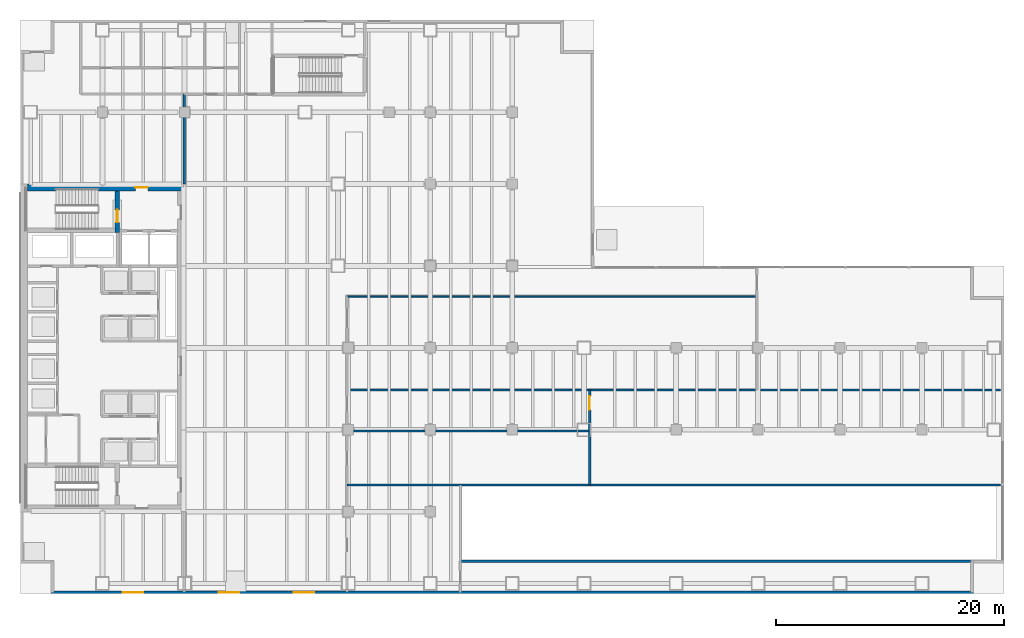
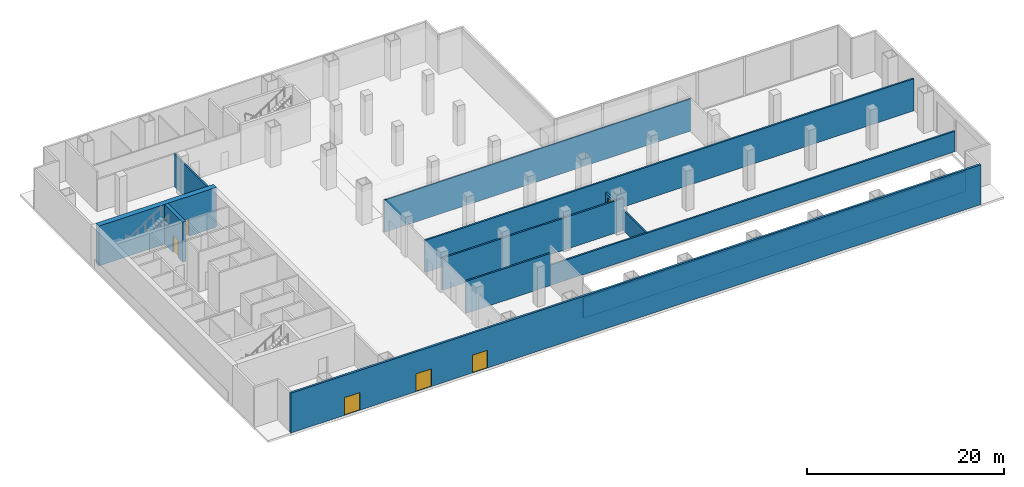
# One storey, part 11 of 17: 11 walls, 6 doors, 6 openings.
"""IFC4 building model written with IfcOpenShell, lengths in metres."""

import ifcopenshell
import ifcopenshell.guid

model = None  # the IFC model being written
_history = None  # IfcOwnerHistory: only IFC2X3 demands one
_inside = {}  # id of a spatial element -> (the spatial element, [elements in it])
_under = {}  # id of a project, library or spatial element -> (it, [spatial elements below it])
_declared = {}  # id of a project -> (the project, [libraries it declares])
_typed = {}  # id of a type object -> (the type object, [elements of that type])
_made_of = {}  # id of a material, layer set ... -> (it, [elements and type objects made of it])


def new_model(schema):
    """Start an empty IFC model of exactly this schema.

    Asked for "IFC4X3", IfcOpenShell would pick the latest addendum, in which some entities
    have other attributes; the version numbers below select the first issue.
    IFC2X3 requires an IfcOwnerHistory on every rooted entity: one is made here for all.
    """
    global model, _history
    if schema == "IFC4X3":
        model = ifcopenshell.file(schema_version=(4, 3, 0, 0))
    else:
        model = ifcopenshell.file(schema=schema)
    _inside.clear()
    _under.clear()
    _declared.clear()
    _typed.clear()
    _made_of.clear()
    _history = None
    if model.schema == "IFC2X3":
        org = make("IfcOrganization", Name="unknown")
        user = make(
            "IfcPersonAndOrganization",
            ThePerson=make("IfcPerson", FamilyName="unknown"),
            TheOrganization=org,
        )
        app = make(
            "IfcApplication",
            ApplicationDeveloper=org,
            Version="unknown",
            ApplicationFullName="unknown",
            ApplicationIdentifier="unknown",
        )
        _history = make(
            "IfcOwnerHistory",
            OwningUser=user,
            OwningApplication=app,
            ChangeAction="ADDED",
            CreationDate=0,
        )
    return model


def make(cls, **values):
    """One entity of the class cls with the attributes given. An attribute that is None is left unset."""
    return model.create_entity(
        cls, **{name: value for name, value in values.items() if value is not None}
    )


def rooted(cls, **values):
    """An entity with a GlobalId (a new one), such as an element, a storey or a relation."""
    return make(cls, GlobalId=ifcopenshell.guid.new(), OwnerHistory=_history, **values)


def si_unit(unit_type, name, prefix=None):
    """IfcSIUnit, for example si_unit("LENGTHUNIT", "METRE", prefix="MILLI")."""
    return make("IfcSIUnit", UnitType=unit_type, Prefix=prefix, Name=name)


def assignment(units):
    """IfcUnitAssignment: the units of a project."""
    return None if units is None else make("IfcUnitAssignment", Units=units)


def point(xyz):
    """IfcCartesianPoint."""
    return None if xyz is None else make("IfcCartesianPoint", Coordinates=xyz)


def direction(xyz):
    """IfcDirection."""
    return None if xyz is None else make("IfcDirection", DirectionRatios=xyz)


def frame(location, z_axis=None, x_axis=None):
    """IfcAxis2Placement3D, a coordinate frame: its origin and axes. An axis left out is left unset."""
    return make(
        "IfcAxis2Placement3D",
        Location=point(location),
        Axis=direction(z_axis),
        RefDirection=direction(x_axis),
    )


def frame_2d(location, x_axis=None):
    """IfcAxis2Placement2D, a coordinate frame in the plane: its origin and x axis."""
    return make(
        "IfcAxis2Placement2D", Location=point(location), RefDirection=direction(x_axis)
    )


def origin():
    """The frame at (0, 0, 0) with its axes left unset."""
    return frame((0.0, 0.0, 0.0))


def place(relative_to, where):
    """IfcLocalPlacement: puts the frame where relative to a parent placement (None: the world)."""
    return make(
        "IfcLocalPlacement", PlacementRelTo=relative_to, RelativePlacement=where
    )


def context(
    kind, dimensions, precision=None, world=None, true_north=None, identifier=None
):
    """IfcGeometricRepresentationContext, for example the 3D "Model" context."""
    return make(
        "IfcGeometricRepresentationContext",
        ContextIdentifier=identifier,
        ContextType=kind,
        CoordinateSpaceDimension=dimensions,
        Precision=precision,
        WorldCoordinateSystem=world,
        TrueNorth=true_north,
    )


def subcontext(parent, identifier, kind, view, scale=None):
    """IfcGeometricRepresentationSubContext, for example "Body" below "Model"."""
    return make(
        "IfcGeometricRepresentationSubContext",
        ContextIdentifier=identifier,
        ContextType=kind,
        ParentContext=parent,
        TargetScale=scale,
        TargetView=view,
    )


def project(units=None, contexts=None):
    """IfcProject with its units and contexts."""
    return rooted(
        "IfcProject",
        Name="project",
        RepresentationContexts=contexts,
        UnitsInContext=assignment(units),
    )


def spatial(cls, under=None, at=None, **own):
    """A site, building, storey or space (cls), placed at a placement, below another one or the project."""
    s = rooted(cls, ObjectPlacement=at, **own)
    if under is not None:
        _under.setdefault(under.id(), (under, []))[1].append(s)
    return s


def profile(cls, at=None, kind="AREA", **sizes):
    """A parametric profile (cls). Its sizes go by their IFC names, for example OverallWidth=200.0."""
    return make(cls, ProfileType=kind, Position=at, **sizes)


def rectangle(**sizes):
    """IfcRectangleProfileDef."""
    return profile("IfcRectangleProfileDef", **sizes)


def extrude(swept, where, along, depth):
    """IfcExtrudedAreaSolid: the profile swept, set in the frame where, extruded along a direction by depth."""
    return make(
        "IfcExtrudedAreaSolid",
        SweptArea=swept,
        Position=where,
        ExtrudedDirection=direction(along),
        Depth=depth,
    )


def shape(context_of_items, identifier, shape_type, items):
    """IfcShapeRepresentation: the items that make up one representation, for example the "Body"."""
    return make(
        "IfcShapeRepresentation",
        ContextOfItems=context_of_items,
        RepresentationIdentifier=identifier,
        RepresentationType=shape_type,
        Items=items,
    )


def material(Name=None, Category=None):
    """IfcMaterial."""
    return make("IfcMaterial", Name=Name, Category=Category)


def layer(
    of_material, thickness, ventilated=None, Name=None, Category=None, Priority=None
):
    """IfcMaterialLayer: one layer of a wall or slab, of a material (None: an air gap)."""
    return make(
        "IfcMaterialLayer",
        Material=of_material,
        LayerThickness=thickness,
        IsVentilated=ventilated,
        Name=Name,
        Category=Category,
        Priority=Priority,
    )


def layer_set(layers, Name=None):
    """IfcMaterialLayerSet."""
    return make("IfcMaterialLayerSet", MaterialLayers=layers, LayerSetName=Name)


def made_of(thing, what):
    """Note that an element or type object is made of a material, layer set ...; save() writes the relation."""
    if what is not None:
        _made_of.setdefault(what.id(), (what, []))[1].append(thing)
    return thing


def type_object(cls, material=None, **own):
    """A type object (cls), such as IfcWallType, which elements share."""
    return made_of(rooted(cls, **own), material)


def element(
    cls,
    number,
    at=None,
    inside=None,
    cuts=None,
    type_object=None,
    material=None,
    context=None,
    identifier="Body",
    shape_type=None,
    held_by="IfcProductDefinitionShape",
    body=None,
    shapes=None,
    **own,
):
    """One element of the class cls, such as IfcWall. Its Tag is "e" and its number.

    at: its placement. inside: the storey or other place that contains it. cuts: it is an
    opening in that element (IfcRelVoidsElement). A single representation is given by context,
    identifier, shape_type and body (its items); several are given by shapes. held_by: the class
    of the entity that holds the representations. save() writes the other relations.
    """
    e = rooted(cls, Tag="e%d" % number, ObjectPlacement=at, **own)
    if body is not None:
        shapes = [shape(context, identifier, shape_type, body)]
    if shapes is not None:
        e.Representation = make(held_by, Representations=shapes)
    if inside is not None:
        _inside.setdefault(inside.id(), (inside, []))[1].append(e)
    if cuts is not None:
        rooted(
            "IfcRelVoidsElement", RelatingBuildingElement=cuts, RelatedOpeningElement=e
        )
    if type_object is not None:
        _typed.setdefault(type_object.id(), (type_object, []))[1].append(e)
    return made_of(e, material)


def fill(opening, filler):
    """IfcRelFillsElement: the door or window that sits in an opening."""
    return rooted(
        "IfcRelFillsElement",
        RelatingOpeningElement=opening,
        RelatedBuildingElement=filler,
    )


def aggregate(whole, parts):
    """IfcRelAggregates: a whole, such as a stair, and the parts it consists of."""
    return rooted("IfcRelAggregates", RelatingObject=whole, RelatedObjects=parts)


def save(model, path):
    """Write the relations noted so far, then the file.

    IfcRelAggregates (storeys below a building ...), IfcRelContainedInSpatialStructure (elements
    in a storey), IfcRelDefinesByType, IfcRelAssociatesMaterial and IfcRelDeclares: one each for
    every whole, place, type object, material and project.
    """
    for whole, parts in _under.values():
        aggregate(whole, parts)
    for where, things in _inside.values():
        rooted(
            "IfcRelContainedInSpatialStructure",
            RelatedElements=things,
            RelatingStructure=where,
        )
    for kind, things in _typed.values():
        rooted("IfcRelDefinesByType", RelatedObjects=things, RelatingType=kind)
    for what, things in _made_of.values():
        rooted("IfcRelAssociatesMaterial", RelatedObjects=things, RelatingMaterial=what)
    for by, libraries in _declared.values():
        rooted("IfcRelDeclares", RelatingContext=by, RelatedDefinitions=libraries)
    model.write(path)


model = new_model("IFC4")

# Units and contexts
model_context = context("Model", 3, precision=1e-05, world=origin(), true_north=direction((0.0, 1.0)))
body_context = subcontext(model_context, "Body", "Model", "MODEL_VIEW")
ifc_project = project(units=[si_unit("LENGTHUNIT", "METRE"), si_unit("AREAUNIT", "SQUARE_METRE"), si_unit("VOLUMEUNIT", "CUBIC_METRE"), si_unit("PLANEANGLEUNIT", "RADIAN"), si_unit("MASSUNIT", "GRAM", prefix="KILO")], contexts=[model_context])

# Site, building, storey
site_placement = place(None, origin())
site = spatial("IfcSite", under=ifc_project, at=site_placement, CompositionType="ELEMENT")
building_placement = place(site_placement, origin())
building = spatial("IfcBuilding", under=site, at=building_placement, Name="Cobrela Telecom Tower", CompositionType="ELEMENT")
storey_placement = place(building_placement, origin())
storey = spatial("IfcBuildingStorey", under=building, at=storey_placement, Name="L00", CompositionType="ELEMENT", Elevation=0.0)

# Wall, opening, door
ifc_material_1 = material(Name="Concrete C50/60", Category="concrete")
ifc_layer_1 = layer(ifc_material_1, 0.60009765625)
ifc_layer_set_1 = layer_set([ifc_layer_1], Name="Concrete C50/60")
wall_type_1 = type_object("IfcWallType", Name="WALL-CORE-C50-600", PredefinedType="SHEAR", material=ifc_layer_set_1)
wall_1_placement = place(storey_placement, frame((0.60009765625, 35.699951171875, 0.0), z_axis=(0.0, 0.0, 1.0), x_axis=(1.0, 0.0, 0.0)))
wall_1 = element("IfcWall", 1, at=wall_1_placement, inside=storey, type_object=wall_type_1, Name="L00 North Core Shear Wall", PredefinedType="SHEAR", context=body_context, shape_type="SweptSolid", body=[
    extrude(rectangle(XDim=13.7998046875, YDim=0.60009765625, at=frame_2d((6.89990234375, 0.0))), origin(), (0.0, 0.0, 1.0), 4.949951171875),
])
opening_1_placement = place(wall_1_placement, frame((9.5, 0.0, 0.0)))
opening_1 = element("IfcOpeningElement", 2, at=opening_1_placement, cuts=wall_1, Name="Opening FD-90", PredefinedType="OPENING", context=body_context, shape_type="SweptSolid", body=[
    extrude(rectangle(XDim=1.10009765625, YDim=2.14990234375, at=frame_2d((0.550048828125, 1.074951171875))), frame((0.0, 0.31201171875, 0.0), z_axis=(0.0, -1.0, 0.0), x_axis=(1.0, 0.0, 0.0)), (0.0, 0.0, 1.0), 0.6240234375),
])
ifc_material_2 = material(Name="Steel ASTM A36", Category="steel")
door_type_1 = type_object("IfcDoorType", Name="DOOR-FD90-1100", OperationType="SINGLE_SWING_LEFT", PredefinedType="DOOR", material=ifc_material_2)
door_1_placement = place(opening_1_placement, origin())
door_1 = element("IfcDoor", 3, at=door_1_placement, inside=storey, type_object=door_type_1, Name="L00 Door FD-90", OperationType="SINGLE_SWING_LEFT", OverallHeight=2.14990234375, OverallWidth=1.10009765625, PredefinedType="DOOR", context=body_context, shape_type="SweptSolid", body=[
    extrude(rectangle(XDim=1.10009765625, YDim=2.14990234375, at=frame_2d((0.550048828125, 1.074951171875))), frame((0.0, 0.02490234375, 0.0), z_axis=(0.0, -1.0, 0.0), x_axis=(1.0, 0.0, 0.0)), (0.0, 0.0, 1.0), 0.050048828125),
])
fill(opening_1, door_1)

# Wall, openings, doors
ifc_material_3 = material(Name="Concrete C40/50", Category="concrete")
ifc_layer_2 = layer(ifc_material_3, 0.239990234375)
ifc_layer_set_2 = layer_set([ifc_layer_2], Name="Concrete C40/50")
wall_type_2 = type_object("IfcWallType", Name="WALL-EXT-300", PredefinedType="STANDARD", material=ifc_layer_set_2)
wall_2_placement = place(storey_placement, frame((83.699951171875, 0.1201171875, 0.0), z_axis=(0.0, 0.0, 1.0), x_axis=(-1.0, 0.0, 0.0)))
wall_2 = element("IfcWall", 4, at=wall_2_placement, inside=storey, type_object=wall_type_2, Name="L00 Concourse Exterior Portal Wall 17", PredefinedType="STANDARD", context=body_context, shape_type="SweptSolid", body=[
    extrude(rectangle(XDim=81.0, YDim=0.239990234375, at=frame_2d((40.5, 0.0))), origin(), (0.0, 0.0, 1.0), 4.949951171875),
])
opening_2_placement = place(wall_2_placement, frame((72.89990234375, 0.0, 0.0)))
opening_2 = element("IfcOpeningElement", 5, at=opening_2_placement, cuts=wall_2, Name="Opening ED-1", PredefinedType="OPENING", context=body_context, shape_type="SweptSolid", body=[
    extrude(rectangle(XDim=1.800048828125, YDim=2.199951171875, at=frame_2d((0.89990234375, 1.10009765625))), frame((0.0, 0.1318359375, 0.0), z_axis=(0.0, -1.0, 0.0), x_axis=(1.0, 0.0, 0.0)), (0.0, 0.0, 1.0), 0.263916015625),
])
opening_3_placement = place(wall_2_placement, frame((64.5, 0.0, 0.0)))
opening_3 = element("IfcOpeningElement", 6, at=opening_3_placement, cuts=wall_2, Name="Opening ED-1", PredefinedType="OPENING", context=body_context, shape_type="SweptSolid", body=[
    extrude(rectangle(XDim=1.800048828125, YDim=2.199951171875, at=frame_2d((0.89990234375, 1.10009765625))), frame((0.0, 0.1318359375, 0.0), z_axis=(0.0, -1.0, 0.0), x_axis=(1.0, 0.0, 0.0)), (0.0, 0.0, 1.0), 0.263916015625),
])
opening_4_placement = place(wall_2_placement, frame((57.89990234375, 0.0, 0.0)))
opening_4 = element("IfcOpeningElement", 7, at=opening_4_placement, cuts=wall_2, Name="Opening ED-1", PredefinedType="OPENING", context=body_context, shape_type="SweptSolid", body=[
    extrude(rectangle(XDim=1.800048828125, YDim=2.199951171875, at=frame_2d((0.89990234375, 1.10009765625))), frame((0.0, 0.1318359375, 0.0), z_axis=(0.0, -1.0, 0.0), x_axis=(1.0, 0.0, 0.0)), (0.0, 0.0, 1.0), 0.263916015625),
])
ifc_material_4 = material(Name="Anodized Bronze Aluminium 6063-T6", Category="aluminium")
door_type_2 = type_object("IfcDoorType", Name="DOOR-EXT-DBL-1800", OperationType="SINGLE_SWING_LEFT", PredefinedType="DOOR", material=ifc_material_4)
door_2_placement = place(opening_2_placement, origin())
door_2 = element("IfcDoor", 8, at=door_2_placement, inside=storey, type_object=door_type_2, Name="L00 South Stair Exit Discharge Double Door", OperationType="DOUBLE_DOOR_SINGLE_SWING", OverallHeight=2.199951171875, OverallWidth=1.800048828125, PredefinedType="DOOR", context=body_context, shape_type="SweptSolid", body=[
    extrude(rectangle(XDim=1.800048828125, YDim=2.199951171875, at=frame_2d((0.89990234375, 1.10009765625))), frame((0.0, 0.02490234375, 0.0), z_axis=(0.0, -1.0, 0.0), x_axis=(1.0, 0.0, 0.0)), (0.0, 0.0, 1.0), 0.050048828125),
])
fill(opening_2, door_2)
door_3_placement = place(opening_3_placement, origin())
door_3 = element("IfcDoor", 9, at=door_3_placement, inside=storey, type_object=door_type_2, Name="L00 South Public Concourse Entry Door 1", OperationType="DOUBLE_DOOR_SINGLE_SWING", OverallHeight=2.199951171875, OverallWidth=1.800048828125, PredefinedType="DOOR", context=body_context, shape_type="SweptSolid", body=[
    extrude(rectangle(XDim=1.800048828125, YDim=2.199951171875, at=frame_2d((0.89990234375, 1.10009765625))), frame((0.0, 0.02490234375, 0.0), z_axis=(0.0, -1.0, 0.0), x_axis=(1.0, 0.0, 0.0)), (0.0, 0.0, 1.0), 0.050048828125),
])
fill(opening_3, door_3)
door_4_placement = place(opening_4_placement, origin())
door_4 = element("IfcDoor", 10, at=door_4_placement, inside=storey, type_object=door_type_2, Name="L00 South Public Concourse Entry Door 2", OperationType="DOUBLE_DOOR_SINGLE_SWING", OverallHeight=2.199951171875, OverallWidth=1.800048828125, PredefinedType="DOOR", context=body_context, shape_type="SweptSolid", body=[
    extrude(rectangle(XDim=1.800048828125, YDim=2.199951171875, at=frame_2d((0.89990234375, 1.10009765625))), frame((0.0, 0.02490234375, 0.0), z_axis=(0.0, -1.0, 0.0), x_axis=(1.0, 0.0, 0.0)), (0.0, 0.0, 1.0), 0.050048828125),
])
fill(opening_4, door_4)

# Walls
ifc_material_5 = material(Name="Fire-Rated Gypsum Plasterboard")
ifc_layer_3 = layer(ifc_material_5, 0.14990234375)
ifc_layer_set_3 = layer_set([ifc_layer_3], Name="Fire-Rated Gypsum Plasterboard")
wall_type_3 = type_object("IfcWallType", Name="WALL-PART-150", PredefinedType="PARTITIONING", material=ifc_layer_set_3)
wall_3_placement = place(storey_placement, frame((28.699951171875, 26.1201171875, 0.0), z_axis=(0.0, 0.0, 1.0), x_axis=(1.0, 0.0, 0.0)))
element("IfcWall", 11, at=wall_3_placement, inside=storey, type_object=wall_type_3, Name="L00 Interior Partition W-RET-N", PredefinedType="PARTITIONING", context=body_context, shape_type="SweptSolid", body=[
    extrude(rectangle(XDim=36.0, YDim=0.14990234375, at=frame_2d((18.0, 0.0))), origin(), (0.0, 0.0, 1.0), 3.988037109375),
])
ifc_layer_4 = layer(ifc_material_5, 0.199951171875)
ifc_layer_set_4 = layer_set([ifc_layer_4], Name="Fire-Rated Gypsum Plasterboard")
wall_type_4 = type_object("IfcWallType", Name="WALL-SHAFT-200", PredefinedType="PARTITIONING", material=ifc_layer_set_4)
wall_4_placement = place(storey_placement, frame((14.39990234375, 36.0, 0.0), z_axis=(0.0, 0.0, 1.0), x_axis=(0.0, 1.0, 0.0)))
element("IfcWall", 12, at=wall_4_placement, inside=storey, type_object=wall_type_4, Name="L00 Shaft Enclosure W-EXN-E", PredefinedType="PARTITIONING", context=body_context, shape_type="SweptSolid", body=[
    extrude(rectangle(XDim=7.89990234375, YDim=0.199951171875, at=frame_2d((3.949951171875, 0.0))), origin(), (0.0, 0.0, 1.0), 3.988037109375),
])
wall_5_placement = place(storey_placement, frame((38.64990234375, 2.85009765625, 0.0), z_axis=(0.0, 0.0, 1.0), x_axis=(1.0, 0.0, 0.0)))
element("IfcWall", 13, at=wall_5_placement, inside=storey, type_object=wall_type_4, Name="L00 Shaft Enclosure W-RAMP-S", PredefinedType="PARTITIONING", context=body_context, shape_type="SweptSolid", body=[
    extrude(rectangle(XDim=44.85009765625, YDim=0.199951171875, at=frame_2d((22.425048828125, 0.0))), origin(), (0.0, 0.0, 1.0), 2.534912109375),
])
wall_6_placement = place(storey_placement, frame((38.64990234375, 9.550048828125, 0.0), z_axis=(0.0, 0.0, 1.0), x_axis=(1.0, 0.0, 0.0)))
element("IfcWall", 14, at=wall_6_placement, inside=storey, type_object=wall_type_4, Name="L00 Shaft Enclosure W-RAMP-N", PredefinedType="PARTITIONING", context=body_context, shape_type="SweptSolid", body=[
    extrude(rectangle(XDim=47.4501953125, YDim=0.199951171875, at=frame_2d((23.72509765625, 0.0))), origin(), (0.0, 0.0, 1.0), 2.534912109375),
])
wall_7_placement = place(storey_placement, frame((28.699951171875, 9.550048828125, 0.0), z_axis=(0.0, 0.0, 1.0), x_axis=(1.0, 0.0, 0.0)))
element("IfcWall", 15, at=wall_7_placement, inside=storey, type_object=wall_type_4, Name="L00 Shaft Enclosure W-FCC-S", PredefinedType="PARTITIONING", context=body_context, shape_type="SweptSolid", body=[
    extrude(rectangle(XDim=9.949951171875, YDim=0.199951171875, at=frame_2d((4.97509765625, 0.0))), origin(), (0.0, 0.0, 1.0), 3.988037109375),
])
wall_8_placement = place(storey_placement, frame((28.699951171875, 14.300048828125, 0.0), z_axis=(0.0, 0.0, 1.0), x_axis=(1.0, 0.0, 0.0)))
element("IfcWall", 16, at=wall_8_placement, inside=storey, type_object=wall_type_4, Name="L00 Shaft Enclosure W-FCC-N", PredefinedType="PARTITIONING", context=body_context, shape_type="SweptSolid", body=[
    extrude(rectangle(XDim=21.300048828125, YDim=0.199951171875, at=frame_2d((10.64990234375, 0.0))), origin(), (0.0, 0.0, 1.0), 3.988037109375),
])

# Wall, opening, door
wall_9_placement = place(storey_placement, frame((50.0, 9.550048828125, 0.0), z_axis=(0.0, 0.0, 1.0), x_axis=(0.0, 1.0, 0.0)))
wall_9 = element("IfcWall", 17, at=wall_9_placement, inside=storey, type_object=wall_type_4, Name="L00 Shaft Enclosure W-FCC-E", PredefinedType="PARTITIONING", context=body_context, shape_type="SweptSolid", body=[
    extrude(rectangle(XDim=8.349853515625, YDim=0.199951171875, at=frame_2d((4.1748046875, 0.0))), origin(), (0.0, 0.0, 1.0), 2.534912109375),
])
opening_5_placement = place(wall_9_placement, frame((6.60009765625, 0.0, 0.0)))
opening_5 = element("IfcOpeningElement", 18, at=opening_5_placement, cuts=wall_9, Name="Opening DR-19", PredefinedType="OPENING", context=body_context, shape_type="SweptSolid", body=[
    extrude(rectangle(XDim=1.199951171875, YDim=2.14990234375, at=frame_2d((0.60009765625, 1.074951171875))), frame((0.0, 0.11181640625, 0.0), z_axis=(0.0, -1.0, 0.0), x_axis=(1.0, 0.0, 0.0)), (0.0, 0.0, 1.0), 0.223876953125),
])
door_type_3 = type_object("IfcDoorType", Name="DOOR-FD60-1200", OperationType="SINGLE_SWING_LEFT", PredefinedType="DOOR", material=ifc_material_2)
door_5_placement = place(opening_5_placement, origin())
door_5 = element("IfcDoor", 19, at=door_5_placement, inside=storey, type_object=door_type_3, Name="L00 Door DR-19", OperationType="SINGLE_SWING_RIGHT", OverallHeight=2.14990234375, OverallWidth=1.199951171875, PredefinedType="DOOR", context=body_context, shape_type="SweptSolid", body=[
    extrude(rectangle(XDim=1.199951171875, YDim=2.14990234375, at=frame_2d((0.60009765625, 1.074951171875))), frame((0.0, 0.02490234375, 0.0), z_axis=(0.0, -1.0, 0.0), x_axis=(1.0, 0.0, 0.0)), (0.0, 0.0, 1.0), 0.050048828125),
])
fill(opening_5, door_5)

# Wall
wall_10_placement = place(storey_placement, frame((28.699951171875, 17.89990234375, 0.0), z_axis=(0.0, 0.0, 1.0), x_axis=(1.0, 0.0, 0.0)))
element("IfcWall", 20, at=wall_10_placement, inside=storey, type_object=wall_type_4, Name="L00 Shaft Enclosure W-LOAD-N", PredefinedType="PARTITIONING", context=body_context, shape_type="SweptSolid", body=[
    extrude(rectangle(XDim=57.400146484375, YDim=0.199951171875, at=frame_2d((28.7001953125, 0.0))), origin(), (0.0, 0.0, 1.0), 3.988037109375),
])

# Wall, opening, door
ifc_layer_5 = layer(ifc_material_3, 0.39990234375)
ifc_layer_set_5 = layer_set([ifc_layer_5], Name="Concrete C40/50")
wall_type_5 = type_object("IfcWallType", Name="WALL-SHAFT-C40-400", PredefinedType="SHEAR", material=ifc_layer_set_5)
wall_11_placement = place(storey_placement, frame((8.5, 31.719970703125, 0.0), z_axis=(0.0, 0.0, 1.0), x_axis=(0.0, 1.0, 0.0)))
wall_11 = element("IfcWall", 21, at=wall_11_placement, inside=storey, type_object=wall_type_5, Name="L00 North Stair Lobby Shear Wall", PredefinedType="SHEAR", context=body_context, shape_type="SweptSolid", body=[
    extrude(rectangle(XDim=3.679931640625, YDim=0.39990234375, at=frame_2d((1.83984375, 0.0))), origin(), (0.0, 0.0, 1.0), 4.949951171875),
])
opening_6_placement = place(wall_11_placement, frame((0.89990234375, 0.0, 0.0)))
opening_6 = element("IfcOpeningElement", 22, at=opening_6_placement, cuts=wall_11, Name="Opening DR-59", PredefinedType="OPENING", context=body_context, shape_type="SweptSolid", body=[
    extrude(rectangle(XDim=1.10009765625, YDim=2.14990234375, at=frame_2d((0.550048828125, 1.074951171875))), frame((0.0, 0.2119140625, 0.0), z_axis=(0.0, -1.0, 0.0), x_axis=(1.0, 0.0, 0.0)), (0.0, 0.0, 1.0), 0.423828125),
])
door_type_4 = type_object("IfcDoorType", Name="DOOR-FD60-1100", OperationType="SINGLE_SWING_LEFT", PredefinedType="DOOR", material=ifc_material_2)
door_6_placement = place(opening_6_placement, origin())
door_6 = element("IfcDoor", 23, at=door_6_placement, inside=storey, type_object=door_type_4, Name="L00 Door DR-59", OperationType="SINGLE_SWING_RIGHT", OverallHeight=2.14990234375, OverallWidth=1.10009765625, PredefinedType="DOOR", context=body_context, shape_type="SweptSolid", body=[
    extrude(rectangle(XDim=1.10009765625, YDim=2.14990234375, at=frame_2d((0.550048828125, 1.074951171875))), frame((0.0, 0.02490234375, 0.0), z_axis=(0.0, -1.0, 0.0), x_axis=(1.0, 0.0, 0.0)), (0.0, 0.0, 1.0), 0.050048828125),
])
fill(opening_6, door_6)

save(model, "model.ifc")
